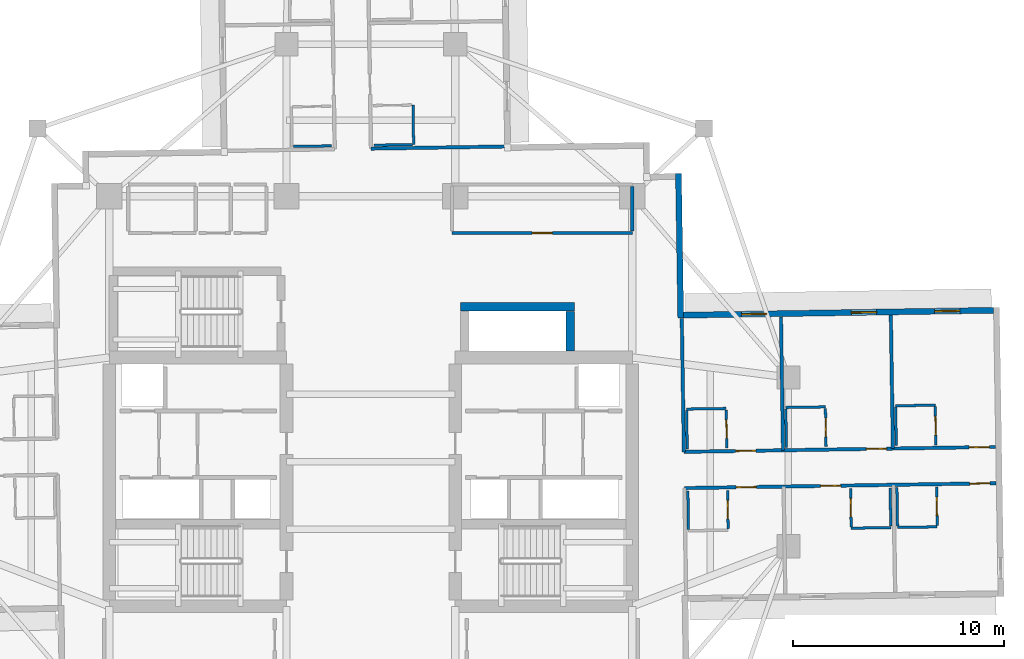
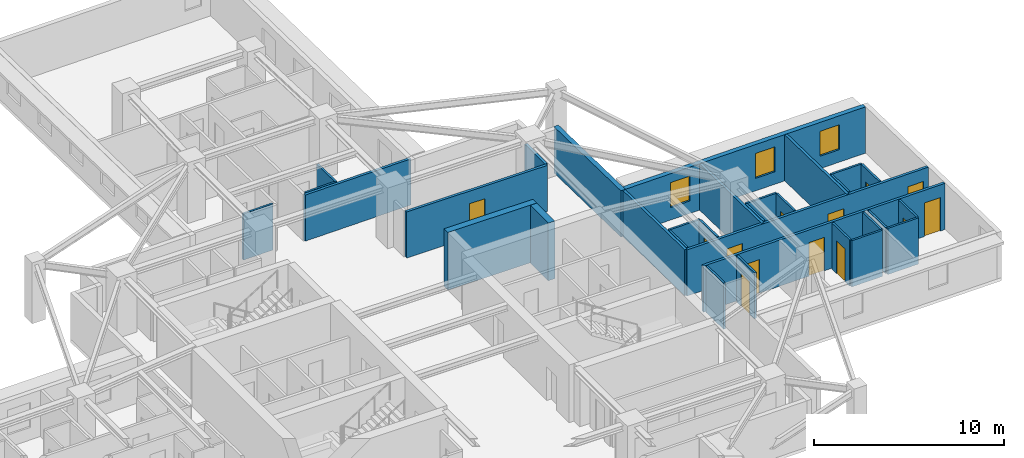
# One storey, part 7 of 14: 32 walls, 13 doors, 3 windows, 16 openings.
"""IFC4 building model written with IfcOpenShell, lengths in metres."""

from ifc_helpers import new_model, si_unit, direction, frame, frame_2d, origin, place, context, subcontext, project, spatial, rectangle, extrude, material, layer, layer_set, type_object, element, fill, save


model = new_model("IFC4")

# Units and contexts
model_context = context("Model", 3, precision=1e-05, world=origin(), true_north=direction((0.0, 1.0)))
body_context = subcontext(model_context, "Body", "Model", "MODEL_VIEW")
ifc_project = project(units=[si_unit("LENGTHUNIT", "METRE"), si_unit("AREAUNIT", "SQUARE_METRE"), si_unit("VOLUMEUNIT", "CUBIC_METRE"), si_unit("PLANEANGLEUNIT", "RADIAN"), si_unit("MASSUNIT", "GRAM", prefix="KILO")], contexts=[model_context])

# Site, building, storey
site_placement = place(None, origin())
site = spatial("IfcSite", under=ifc_project, at=site_placement, CompositionType="ELEMENT")
building_placement = place(site_placement, origin())
building = spatial("IfcBuilding", under=site, at=building_placement, Name="Qingluan Cross Belvedere", CompositionType="ELEMENT")
storey_placement = place(building_placement, frame((0.0, 0.0, 108.60009765625)))
storey = spatial("IfcBuildingStorey", under=building, at=storey_placement, Name="L27", CompositionType="ELEMENT", Elevation=108.60009765625)

# Walls
ifc_material_1 = material(Name="Concrete C50", Category="concrete")
ifc_layer_1 = layer(ifc_material_1, 0.449951171875, Name="CoreShearWall_450")
ifc_layer_set_1 = layer_set([ifc_layer_1], Name="Concrete C50")
wall_type_1 = type_object("IfcWallType", Name="CoreShearWall_450", PredefinedType="SHEAR", material=ifc_layer_set_1)
wall_1_placement = place(storey_placement, frame((4.25, 7.35009765625, 0.0), z_axis=(0.0, 0.0, 1.0), x_axis=(1.0, 0.0, 0.0)))
element("IfcWall", 1, at=wall_1_placement, inside=storey, type_object=wall_type_1, Name="Express shuttle core wall L27-N", PredefinedType="SHEAR", context=body_context, shape_type="SweptSolid", body=[
    extrude(rectangle(XDim=5.39990234375, YDim=0.39990234375, at=frame_2d((2.699951171875, 0.0))), origin(), (0.0, 0.0, 1.0), 3.699951171875),
])
wall_2_placement = place(storey_placement, frame((9.449951171875, 5.2548828125, 0.0), z_axis=(0.0, 0.0, 1.0), x_axis=(0.0, 1.0, 0.0)))
element("IfcWall", 2, at=wall_2_placement, inside=storey, type_object=wall_type_1, Name="Express shuttle core wall L27-E", PredefinedType="SHEAR", context=body_context, shape_type="SweptSolid", body=[
    extrude(rectangle(XDim=1.885009765625, YDim=0.39990234375, at=frame_2d((0.9423828125, 0.0))), origin(), (0.0, 0.0, 1.0), 3.699951171875),
])

# Wall, opening, door
ifc_material_2 = material(Name="Gypsum plasterboard on steel stud acoustic partition", Category="steel")
ifc_layer_2 = layer(ifc_material_2, 0.159912109375, Name="CorridorPartition_160")
ifc_layer_set_2 = layer_set([ifc_layer_2], Name="Gypsum plasterboard on steel stud acoustic partition")
wall_type_2 = type_object("IfcWallType", Name="CorridorPartition_160", PredefinedType="PARTITIONING", material=ifc_layer_set_2)
wall_3_placement = place(storey_placement, frame((3.85009765625, 10.85009765625, 0.0), z_axis=(0.0, 0.0, 1.0), x_axis=(1.0, 0.0, 0.0)))
wall_3 = element("IfcWall", 3, at=wall_3_placement, inside=storey, type_object=wall_type_2, Name="Partition L27:q_ne:S", PredefinedType="PARTITIONING", context=body_context, shape_type="SweptSolid", body=[
    extrude(rectangle(XDim=8.5498046875, YDim=0.159912109375, at=frame_2d((4.27490234375, 0.0))), origin(), (0.0, 0.0, 1.0), 2.9599609375),
])
opening_1_placement = place(wall_3_placement, frame((3.794921875, 0.0, 0.0)))
opening_1 = element("IfcOpeningElement", 4, at=opening_1_placement, cuts=wall_3, Name="Opening GD-10", PredefinedType="OPENING", context=body_context, shape_type="SweptSolid", body=[
    extrude(rectangle(XDim=0.9599609375, YDim=2.14990234375, at=frame_2d((0.47998046875, 1.074951171875))), frame((0.0, 0.08984375, 0.0), z_axis=(0.0, -1.0, 0.0), x_axis=(1.0, 0.0, 0.0)), (0.0, 0.0, 1.0), 0.179931640625),
])
ifc_material_3 = material(Name="Timber oak fire-rated acoustic guestroom door", Category="wood")
door_type_1 = type_object("IfcDoorType", Name="GuestEntryDoor_FD60", OperationType="NOTDEFINED", PredefinedType="DOOR", material=ifc_material_3)
door_1_placement = place(opening_1_placement, origin())
door_1 = element("IfcDoor", 5, at=door_1_placement, inside=storey, type_object=door_type_1, Name="Executive club lounge L27 door", OperationType="SINGLE_SWING_LEFT", OverallHeight=2.14990234375, OverallWidth=0.9599609375, PredefinedType="DOOR", context=body_context, shape_type="SweptSolid", body=[
    extrude(rectangle(XDim=0.9599609375, YDim=2.14990234375, at=frame_2d((0.47998046875, 1.074951171875))), frame((0.0, 0.02490234375, 0.0), z_axis=(0.0, -1.0, 0.0), x_axis=(1.0, 0.0, 0.0)), (0.0, 0.0, 1.0), 0.050048828125),
])
fill(opening_1, door_1)

# Wall
wall_4_placement = place(storey_placement, frame((12.39990234375, 10.93505859375, 0.0), z_axis=(0.0, 0.0, 1.0), x_axis=(0.0, 1.0, 0.0)))
element("IfcWall", 6, at=wall_4_placement, inside=storey, type_object=wall_type_2, Name="Partition L27:q_ne:E", PredefinedType="PARTITIONING", context=body_context, shape_type="SweptSolid", body=[
    extrude(rectangle(XDim=2.1298828125, YDim=0.159912109375, at=frame_2d((1.06494140625, 0.0))), origin(), (0.0, 0.0, 1.0), 2.9599609375),
])

# Wall, openings, doors
wall_5_placement = place(storey_placement, frame((14.844482421875, 0.47314453125, 0.0), z_axis=(0.0, 0.0, 1.0), x_axis=(0.999876638346, 0.015706944004, 0.0)))
wall_5 = element("IfcWall", 7, at=wall_5_placement, inside=storey, type_object=wall_type_2, Name="Partition L27:E:c0", PredefinedType="PARTITIONING", context=body_context, shape_type="SweptSolid", body=[
    extrude(rectangle(XDim=14.78173828125, YDim=0.159912109375, at=frame_2d((7.390869140625, 0.0))), origin(), (0.0, 0.0, 1.0), 2.9599609375),
])
opening_2_placement = place(wall_5_placement, frame((2.449951171875, 0.0, 0.0)))
opening_2 = element("IfcOpeningElement", 8, at=opening_2_placement, cuts=wall_5, Name="Opening GD-10", PredefinedType="OPENING", context=body_context, shape_type="SweptSolid", body=[
    extrude(rectangle(XDim=0.9599609375, YDim=2.14990234375, at=frame_2d((0.47998046875, 1.074951171875))), frame((0.0, 0.08984375, 0.0), z_axis=(0.0, -1.0, 0.0), x_axis=(1.0, 0.0, 0.0)), (0.0, 0.0, 1.0), 0.179931640625),
])
opening_3_placement = place(wall_5_placement, frame((8.654052734375, 0.0, 0.0)))
opening_3 = element("IfcOpeningElement", 9, at=opening_3_placement, cuts=wall_5, Name="Opening GD-10", PredefinedType="OPENING", context=body_context, shape_type="SweptSolid", body=[
    extrude(rectangle(XDim=0.9599609375, YDim=2.14990234375, at=frame_2d((0.47998046875, 1.074951171875))), frame((0.0, 0.08984375, 0.0), z_axis=(0.0, -1.0, 0.0), x_axis=(1.0, 0.0, 0.0)), (0.0, 0.0, 1.0), 0.179931640625),
])
opening_4_placement = place(wall_5_placement, frame((13.530029296875, 0.0, 0.0)))
opening_4 = element("IfcOpeningElement", 10, at=opening_4_placement, cuts=wall_5, Name="Opening GD-10", PredefinedType="OPENING", context=body_context, shape_type="SweptSolid", body=[
    extrude(rectangle(XDim=0.9599609375, YDim=2.14990234375, at=frame_2d((0.47998046875, 1.074951171875))), frame((0.0, 0.08984375, 0.0), z_axis=(0.0, -1.0, 0.0), x_axis=(1.0, 0.0, 0.0)), (0.0, 0.0, 1.0), 0.179931640625),
])
door_2_placement = place(opening_2_placement, origin())
door_2 = element("IfcDoor", 11, at=door_2_placement, inside=storey, type_object=door_type_1, Name="Guest entry fire door 2701", OperationType="SINGLE_SWING_RIGHT", OverallHeight=2.14990234375, OverallWidth=0.9599609375, PredefinedType="DOOR", context=body_context, shape_type="SweptSolid", body=[
    extrude(rectangle(XDim=0.9599609375, YDim=2.14990234375, at=frame_2d((0.47998046875, 1.074951171875))), frame((0.0, 0.02490234375, 0.0), z_axis=(0.0, -1.0, 0.0), x_axis=(1.0, 0.0, 0.0)), (0.0, 0.0, 1.0), 0.050048828125),
])
fill(opening_2, door_2)
door_3_placement = place(opening_3_placement, origin())
door_3 = element("IfcDoor", 12, at=door_3_placement, inside=storey, type_object=door_type_1, Name="Guest entry fire door 2702", OperationType="SINGLE_SWING_RIGHT", OverallHeight=2.14990234375, OverallWidth=0.9599609375, PredefinedType="DOOR", context=body_context, shape_type="SweptSolid", body=[
    extrude(rectangle(XDim=0.9599609375, YDim=2.14990234375, at=frame_2d((0.47998046875, 1.074951171875))), frame((0.0, 0.02490234375, 0.0), z_axis=(0.0, -1.0, 0.0), x_axis=(1.0, 0.0, 0.0)), (0.0, 0.0, 1.0), 0.050048828125),
])
fill(opening_3, door_3)
door_4_placement = place(opening_4_placement, origin())
door_4 = element("IfcDoor", 13, at=door_4_placement, inside=storey, type_object=door_type_1, Name="Guest entry fire door 2703", OperationType="SINGLE_SWING_RIGHT", OverallHeight=2.14990234375, OverallWidth=0.9599609375, PredefinedType="DOOR", context=body_context, shape_type="SweptSolid", body=[
    extrude(rectangle(XDim=0.9599609375, YDim=2.14990234375, at=frame_2d((0.47998046875, 1.074951171875))), frame((0.0, 0.02490234375, 0.0), z_axis=(0.0, -1.0, 0.0), x_axis=(1.0, 0.0, 0.0)), (0.0, 0.0, 1.0), 0.050048828125),
])
fill(opening_4, door_4)

# Walls
for number, where, z_axis, x_axis, name in (
    (14, (14.844482421875, 0.47314453125, 0.0), (0.0, 0.0, 1.0), (-0.01573090328, 0.999876261685, 0.0), "Partition L27:E:s0"),
    (15, (19.546875, 0.547119140625, 0.0), (0.0, 0.0, 1.0), (-0.01573090328, 0.999876261685, 0.0), "Partition L27:E:d0_0"),
    (16, (24.757080078125, 0.62890625, 0.0), (0.0, 0.0, 1.0), (-0.015692356651, 0.999876867391, 0.0), "Partition L27:E:d0_1"),
):
    element("IfcWall", number, at=place(storey_placement, frame(where, z_axis=z_axis, x_axis=x_axis)), inside=storey, type_object=wall_type_2, Name=name, PredefinedType="PARTITIONING", context=body_context, shape_type="SweptSolid", body=[
        extrude(rectangle(XDim=6.33203125, YDim=0.159912109375, at=frame_2d((3.166015625, 0.0))), origin(), (0.0, 0.0, 1.0), 2.9599609375),
    ])

# Wall, openings, doors
wall_6_placement = place(storey_placement, frame((14.871337890625, -1.24658203125, 0.0), z_axis=(0.0, 0.0, 1.0), x_axis=(0.999876642421, 0.015706684621, 0.0)))
wall_6 = element("IfcWall", 17, at=wall_6_placement, inside=storey, type_object=wall_type_2, Name="Partition L27:E:c1", PredefinedType="PARTITIONING", context=body_context, shape_type="SweptSolid", body=[
    extrude(rectangle(XDim=14.781982421875, YDim=0.159912109375, at=frame_2d((7.39111328125, 0.0))), origin(), (0.0, 0.0, 1.0), 2.9599609375),
])
opening_5_placement = place(wall_6_placement, frame((2.449951171875, 0.0, 0.0)))
opening_5 = element("IfcOpeningElement", 18, at=opening_5_placement, cuts=wall_6, Name="Opening GD-10", PredefinedType="OPENING", context=body_context, shape_type="SweptSolid", body=[
    extrude(rectangle(XDim=0.9599609375, YDim=2.14990234375, at=frame_2d((0.47998046875, 1.074951171875))), frame((0.0, 0.08984375, 0.0), z_axis=(0.0, -1.0, 0.0), x_axis=(1.0, 0.0, 0.0)), (0.0, 0.0, 1.0), 0.179931640625),
])
opening_6_placement = place(wall_6_placement, frame((6.452880859375, 0.0, 0.0)))
opening_6 = element("IfcOpeningElement", 19, at=opening_6_placement, cuts=wall_6, Name="Opening GD-10", PredefinedType="OPENING", context=body_context, shape_type="SweptSolid", body=[
    extrude(rectangle(XDim=0.9599609375, YDim=2.14990234375, at=frame_2d((0.47998046875, 1.074951171875))), frame((0.0, 0.08984375, 0.0), z_axis=(0.0, -1.0, 0.0), x_axis=(1.0, 0.0, 0.0)), (0.0, 0.0, 1.0), 0.179931640625),
])
opening_7_placement = place(wall_6_placement, frame((13.530029296875, 0.0, 0.0)))
opening_7 = element("IfcOpeningElement", 20, at=opening_7_placement, cuts=wall_6, Name="Opening GD-10", PredefinedType="OPENING", context=body_context, shape_type="SweptSolid", body=[
    extrude(rectangle(XDim=0.9599609375, YDim=2.14990234375, at=frame_2d((0.47998046875, 1.074951171875))), frame((0.0, 0.08984375, 0.0), z_axis=(0.0, -1.0, 0.0), x_axis=(1.0, 0.0, 0.0)), (0.0, 0.0, 1.0), 0.179931640625),
])
door_5_placement = place(opening_5_placement, origin())
door_5 = element("IfcDoor", 21, at=door_5_placement, inside=storey, type_object=door_type_1, Name="Guest entry fire door 2704", OperationType="SINGLE_SWING_RIGHT", OverallHeight=2.14990234375, OverallWidth=0.9599609375, PredefinedType="DOOR", context=body_context, shape_type="SweptSolid", body=[
    extrude(rectangle(XDim=0.9599609375, YDim=2.14990234375, at=frame_2d((0.47998046875, 1.074951171875))), frame((0.0, 0.02490234375, 0.0), z_axis=(0.0, -1.0, 0.0), x_axis=(1.0, 0.0, 0.0)), (0.0, 0.0, 1.0), 0.050048828125),
])
fill(opening_5, door_5)
door_6_placement = place(opening_6_placement, origin())
door_6 = element("IfcDoor", 22, at=door_6_placement, inside=storey, type_object=door_type_1, Name="Guest entry fire door 2705", OperationType="SINGLE_SWING_RIGHT", OverallHeight=2.14990234375, OverallWidth=0.9599609375, PredefinedType="DOOR", context=body_context, shape_type="SweptSolid", body=[
    extrude(rectangle(XDim=0.9599609375, YDim=2.14990234375, at=frame_2d((0.47998046875, 1.074951171875))), frame((0.0, 0.02490234375, 0.0), z_axis=(0.0, -1.0, 0.0), x_axis=(1.0, 0.0, 0.0)), (0.0, 0.0, 1.0), 0.050048828125),
])
fill(opening_6, door_6)
door_7_placement = place(opening_7_placement, origin())
door_7 = element("IfcDoor", 23, at=door_7_placement, inside=storey, type_object=door_type_1, Name="Guest entry fire door 2706", OperationType="SINGLE_SWING_RIGHT", OverallHeight=2.14990234375, OverallWidth=0.9599609375, PredefinedType="DOOR", context=body_context, shape_type="SweptSolid", body=[
    extrude(rectangle(XDim=0.9599609375, YDim=2.14990234375, at=frame_2d((0.47998046875, 1.074951171875))), frame((0.0, 0.02490234375, 0.0), z_axis=(0.0, -1.0, 0.0), x_axis=(1.0, 0.0, 0.0)), (0.0, 0.0, 1.0), 0.050048828125),
])
fill(opening_7, door_7)

# Wall
wall_7_placement = place(storey_placement, frame((0.006591796875, 14.851806640625, 0.0), z_axis=(0.0, 0.0, 1.0), x_axis=(0.999876577995, 0.015710785373, 0.0)))
element("IfcWall", 24, at=wall_7_placement, inside=storey, type_object=wall_type_2, Name="Partition L27:N:s0", PredefinedType="PARTITIONING", context=body_context, shape_type="SweptSolid", body=[
    extrude(rectangle(XDim=6.47998046875, YDim=0.159912109375, at=frame_2d((3.239990234375, 0.0))), origin(), (0.0, 0.0, 1.0), 2.9599609375),
])

# Wall, opening, door
ifc_material_4 = material(Name="Moisture-resistant gypsum board lining")
ifc_layer_3 = layer(ifc_material_4, 0.1201171875, Name="EnsuiteWetPartition_120")
ifc_layer_set_3 = layer_set([ifc_layer_3], Name="Moisture-resistant gypsum board lining")
wall_type_3 = type_object("IfcWallType", Name="EnsuiteWetPartition_120", PredefinedType="PARTITIONING", material=ifc_layer_set_3)
wall_8_placement = place(storey_placement, frame((16.8818359375, 0.645263671875, 0.0), z_axis=(0.0, 0.0, 1.0), x_axis=(-0.015560230231, 0.999878932289, 0.0)))
wall_8 = element("IfcWall", 25, at=wall_8_placement, inside=storey, type_object=wall_type_3, Name="Partition L27:E:bs0_0", PredefinedType="PARTITIONING", context=body_context, shape_type="SweptSolid", body=[
    extrude(rectangle(XDim=1.820068359375, YDim=0.1201171875, at=frame_2d((0.91015625, 0.0))), origin(), (0.0, 0.0, 1.0), 2.9599609375),
])
opening_8_placement = place(wall_8_placement, frame((0.469970703125, 0.0, 0.0)))
opening_8 = element("IfcOpeningElement", 26, at=opening_8_placement, cuts=wall_8, Name="Opening BD-09", PredefinedType="OPENING", context=body_context, shape_type="SweptSolid", body=[
    extrude(rectangle(XDim=0.8798828125, YDim=2.10009765625, at=frame_2d((0.43994140625, 1.050048828125))), frame((0.0, 0.070068359375, 0.0), z_axis=(0.0, -1.0, 0.0), x_axis=(1.0, 0.0, 0.0)), (0.0, 0.0, 1.0), 0.14013671875),
])
ifc_material_5 = material(Name="Moisture-sealed timber en-suite door", Category="wood")
door_type_2 = type_object("IfcDoorType", Name="BathroomDoor_880", OperationType="NOTDEFINED", PredefinedType="DOOR", material=ifc_material_5)
door_8_placement = place(opening_8_placement, origin())
door_8 = element("IfcDoor", 27, at=door_8_placement, inside=storey, type_object=door_type_2, Name="Bathroom door 2701", OperationType="SINGLE_SWING_LEFT", OverallHeight=2.10009765625, OverallWidth=0.8798828125, PredefinedType="DOOR", context=body_context, shape_type="SweptSolid", body=[
    extrude(rectangle(XDim=0.8798828125, YDim=2.10009765625, at=frame_2d((0.43994140625, 1.050048828125))), frame((0.0, 0.02490234375, 0.0), z_axis=(0.0, -1.0, 0.0), x_axis=(1.0, 0.0, 0.0)), (0.0, 0.0, 1.0), 0.050048828125),
])
fill(opening_8, door_8)

# Walls
wall_9_placement = place(storey_placement, frame((15.002197265625, 0.61572265625, 0.0), z_axis=(0.0, 0.0, 1.0), x_axis=(-0.015694337248, 0.999876836305, 0.0)))
element("IfcWall", 28, at=wall_9_placement, inside=storey, type_object=wall_type_3, Name="Partition L27:E:bw0_0", PredefinedType="PARTITIONING", context=body_context, shape_type="SweptSolid", body=[
    extrude(rectangle(XDim=1.820068359375, YDim=0.1201171875, at=frame_2d((0.91015625, 0.0))), origin(), (0.0, 0.0, 1.0), 2.9599609375),
])
wall_10_placement = place(storey_placement, frame((14.97265625, 2.50048828125, 0.0), z_axis=(0.0, 0.0, 1.0), x_axis=(0.99987652141, 0.015714386166, 0.0)))
element("IfcWall", 29, at=wall_10_placement, inside=storey, type_object=wall_type_3, Name="Partition L27:E:bn0_0", PredefinedType="PARTITIONING", context=body_context, shape_type="SweptSolid", body=[
    extrude(rectangle(XDim=1.8798828125, YDim=0.1201171875, at=frame_2d((0.93994140625, 0.0))), origin(), (0.0, 0.0, 1.0), 2.9599609375),
])

# Wall, opening, door
wall_11_placement = place(storey_placement, frame((21.58447265625, 0.718994140625, 0.0), z_axis=(0.0, 0.0, 1.0), x_axis=(-0.015694337248, 0.999876836305, 0.0)))
wall_11 = element("IfcWall", 30, at=wall_11_placement, inside=storey, type_object=wall_type_3, Name="Partition L27:E:bs0_1", PredefinedType="PARTITIONING", context=body_context, shape_type="SweptSolid", body=[
    extrude(rectangle(XDim=1.820068359375, YDim=0.1201171875, at=frame_2d((0.91015625, 0.0))), origin(), (0.0, 0.0, 1.0), 2.9599609375),
])
opening_9_placement = place(wall_11_placement, frame((0.469970703125, 0.0, 0.0)))
opening_9 = element("IfcOpeningElement", 31, at=opening_9_placement, cuts=wall_11, Name="Opening BD-09", PredefinedType="OPENING", context=body_context, shape_type="SweptSolid", body=[
    extrude(rectangle(XDim=0.8798828125, YDim=2.10009765625, at=frame_2d((0.43994140625, 1.050048828125))), frame((0.0, 0.070068359375, 0.0), z_axis=(0.0, -1.0, 0.0), x_axis=(1.0, 0.0, 0.0)), (0.0, 0.0, 1.0), 0.14013671875),
])
door_9_placement = place(opening_9_placement, origin())
door_9 = element("IfcDoor", 32, at=door_9_placement, inside=storey, type_object=door_type_2, Name="Bathroom door 2702", OperationType="SINGLE_SWING_LEFT", OverallHeight=2.10009765625, OverallWidth=0.8798828125, PredefinedType="DOOR", context=body_context, shape_type="SweptSolid", body=[
    extrude(rectangle(XDim=0.8798828125, YDim=2.10009765625, at=frame_2d((0.43994140625, 1.050048828125))), frame((0.0, 0.02490234375, 0.0), z_axis=(0.0, -1.0, 0.0), x_axis=(1.0, 0.0, 0.0)), (0.0, 0.0, 1.0), 0.050048828125),
])
fill(opening_9, door_9)

# Walls
wall_12_placement = place(storey_placement, frame((19.70458984375, 0.689697265625, 0.0), z_axis=(0.0, 0.0, 1.0), x_axis=(-0.015694337248, 0.999876836305, 0.0)))
element("IfcWall", 33, at=wall_12_placement, inside=storey, type_object=wall_type_3, Name="Partition L27:E:bw0_1", PredefinedType="PARTITIONING", context=body_context, shape_type="SweptSolid", body=[
    extrude(rectangle(XDim=1.820068359375, YDim=0.1201171875, at=frame_2d((0.91015625, 0.0))), origin(), (0.0, 0.0, 1.0), 2.9599609375),
])
wall_13_placement = place(storey_placement, frame((19.675048828125, 2.574462890625, 0.0), z_axis=(0.0, 0.0, 1.0), x_axis=(0.99987652141, 0.015714386166, 0.0)))
element("IfcWall", 34, at=wall_13_placement, inside=storey, type_object=wall_type_3, Name="Partition L27:E:bn0_1", PredefinedType="PARTITIONING", context=body_context, shape_type="SweptSolid", body=[
    extrude(rectangle(XDim=1.8798828125, YDim=0.1201171875, at=frame_2d((0.93994140625, 0.0))), origin(), (0.0, 0.0, 1.0), 2.9599609375),
])

# Wall, opening, door
wall_14_placement = place(storey_placement, frame((26.794677734375, 0.801025390625, 0.0), z_axis=(0.0, 0.0, 1.0), x_axis=(-0.015696442504, 0.999876803258, 0.0)))
wall_14 = element("IfcWall", 35, at=wall_14_placement, inside=storey, type_object=wall_type_3, Name="Partition L27:E:bs0_2", PredefinedType="PARTITIONING", context=body_context, shape_type="SweptSolid", body=[
    extrude(rectangle(XDim=1.81982421875, YDim=0.1201171875, at=frame_2d((0.909912109375, 0.0))), origin(), (0.0, 0.0, 1.0), 2.9599609375),
])
opening_10_placement = place(wall_14_placement, frame((0.469970703125, 0.0, 0.0)))
opening_10 = element("IfcOpeningElement", 36, at=opening_10_placement, cuts=wall_14, Name="Opening BD-09", PredefinedType="OPENING", context=body_context, shape_type="SweptSolid", body=[
    extrude(rectangle(XDim=0.8798828125, YDim=2.10009765625, at=frame_2d((0.43994140625, 1.050048828125))), frame((0.0, 0.070068359375, 0.0), z_axis=(0.0, -1.0, 0.0), x_axis=(1.0, 0.0, 0.0)), (0.0, 0.0, 1.0), 0.14013671875),
])
door_10_placement = place(opening_10_placement, origin())
door_10 = element("IfcDoor", 37, at=door_10_placement, inside=storey, type_object=door_type_2, Name="Bathroom door 2703", OperationType="SINGLE_SWING_LEFT", OverallHeight=2.10009765625, OverallWidth=0.8798828125, PredefinedType="DOOR", context=body_context, shape_type="SweptSolid", body=[
    extrude(rectangle(XDim=0.8798828125, YDim=2.10009765625, at=frame_2d((0.43994140625, 1.050048828125))), frame((0.0, 0.02490234375, 0.0), z_axis=(0.0, -1.0, 0.0), x_axis=(1.0, 0.0, 0.0)), (0.0, 0.0, 1.0), 0.050048828125),
])
fill(opening_10, door_10)

# Walls
wall_15_placement = place(storey_placement, frame((24.9150390625, 0.771484375, 0.0), z_axis=(0.0, 0.0, 1.0), x_axis=(-0.015694337248, 0.999876836305, 0.0)))
element("IfcWall", 38, at=wall_15_placement, inside=storey, type_object=wall_type_3, Name="Partition L27:E:bw0_2", PredefinedType="PARTITIONING", context=body_context, shape_type="SweptSolid", body=[
    extrude(rectangle(XDim=1.820068359375, YDim=0.1201171875, at=frame_2d((0.91015625, 0.0))), origin(), (0.0, 0.0, 1.0), 2.9599609375),
])
wall_16_placement = place(storey_placement, frame((24.88525390625, 2.65625, 0.0), z_axis=(0.0, 0.0, 1.0), x_axis=(0.999876553475, 0.01571234584, 0.0)))
element("IfcWall", 39, at=wall_16_placement, inside=storey, type_object=wall_type_3, Name="Partition L27:E:bn0_2", PredefinedType="PARTITIONING", context=body_context, shape_type="SweptSolid", body=[
    extrude(rectangle(XDim=1.880126953125, YDim=0.1201171875, at=frame_2d((0.93994140625, 0.0))), origin(), (0.0, 0.0, 1.0), 2.9599609375),
])

# Wall, opening, door
wall_17_placement = place(storey_placement, frame((16.94189453125, -3.17431640625, 0.0), z_axis=(0.0, 0.0, 1.0), x_axis=(-0.015694337248, 0.999876836305, 0.0)))
wall_17 = element("IfcWall", 40, at=wall_17_placement, inside=storey, type_object=wall_type_3, Name="Partition L27:E:bs1_0", PredefinedType="PARTITIONING", context=body_context, shape_type="SweptSolid", body=[
    extrude(rectangle(XDim=1.820068359375, YDim=0.1201171875, at=frame_2d((0.91015625, 0.0))), origin(), (0.0, 0.0, 1.0), 2.9599609375),
])
opening_11_placement = place(wall_17_placement, frame((0.469970703125, 0.0, 0.0)))
opening_11 = element("IfcOpeningElement", 41, at=opening_11_placement, cuts=wall_17, Name="Opening BD-09", PredefinedType="OPENING", context=body_context, shape_type="SweptSolid", body=[
    extrude(rectangle(XDim=0.8798828125, YDim=2.10009765625, at=frame_2d((0.43994140625, 1.050048828125))), frame((0.0, 0.070068359375, 0.0), z_axis=(0.0, -1.0, 0.0), x_axis=(1.0, 0.0, 0.0)), (0.0, 0.0, 1.0), 0.14013671875),
])
door_11_placement = place(opening_11_placement, origin())
door_11 = element("IfcDoor", 42, at=door_11_placement, inside=storey, type_object=door_type_2, Name="Bathroom door 2704", OperationType="SINGLE_SWING_LEFT", OverallHeight=2.10009765625, OverallWidth=0.8798828125, PredefinedType="DOOR", context=body_context, shape_type="SweptSolid", body=[
    extrude(rectangle(XDim=0.8798828125, YDim=2.10009765625, at=frame_2d((0.43994140625, 1.050048828125))), frame((0.0, 0.02490234375, 0.0), z_axis=(0.0, -1.0, 0.0), x_axis=(1.0, 0.0, 0.0)), (0.0, 0.0, 1.0), 0.050048828125),
])
fill(opening_11, door_11)

# Wall
wall_18_placement = place(storey_placement, frame((15.062255859375, -3.203857421875, 0.0), z_axis=(0.0, 0.0, 1.0), x_axis=(-0.015694337248, 0.999876836305, 0.0)))
element("IfcWall", 43, at=wall_18_placement, inside=storey, type_object=wall_type_3, Name="Partition L27:E:bw1_0", PredefinedType="PARTITIONING", context=body_context, shape_type="SweptSolid", body=[
    extrude(rectangle(XDim=1.820068359375, YDim=0.1201171875, at=frame_2d((0.91015625, 0.0))), origin(), (0.0, 0.0, 1.0), 2.9599609375),
])

# Wall, opening, door
wall_19_placement = place(storey_placement, frame((22.775146484375, -3.08251953125, 0.0), z_axis=(0.0, 0.0, 1.0), x_axis=(-0.015696442504, 0.999876803258, 0.0)))
wall_19 = element("IfcWall", 44, at=wall_19_placement, inside=storey, type_object=wall_type_3, Name="Partition L27:E:bs1_1", PredefinedType="PARTITIONING", context=body_context, shape_type="SweptSolid", body=[
    extrude(rectangle(XDim=1.81982421875, YDim=0.1201171875, at=frame_2d((0.909912109375, 0.0))), origin(), (0.0, 0.0, 1.0), 2.9599609375),
])
opening_12_placement = place(wall_19_placement, frame((0.469970703125, 0.0, 0.0)))
opening_12 = element("IfcOpeningElement", 45, at=opening_12_placement, cuts=wall_19, Name="Opening BD-09", PredefinedType="OPENING", context=body_context, shape_type="SweptSolid", body=[
    extrude(rectangle(XDim=0.8798828125, YDim=2.10009765625, at=frame_2d((0.43994140625, 1.050048828125))), frame((0.0, 0.070068359375, 0.0), z_axis=(0.0, -1.0, 0.0), x_axis=(1.0, 0.0, 0.0)), (0.0, 0.0, 1.0), 0.14013671875),
])
door_12_placement = place(opening_12_placement, origin())
door_12 = element("IfcDoor", 46, at=door_12_placement, inside=storey, type_object=door_type_2, Name="Bathroom door 2705", OperationType="SINGLE_SWING_LEFT", OverallHeight=2.10009765625, OverallWidth=0.8798828125, PredefinedType="DOOR", context=body_context, shape_type="SweptSolid", body=[
    extrude(rectangle(XDim=0.8798828125, YDim=2.10009765625, at=frame_2d((0.43994140625, 1.050048828125))), frame((0.0, 0.02490234375, 0.0), z_axis=(0.0, -1.0, 0.0), x_axis=(1.0, 0.0, 0.0)), (0.0, 0.0, 1.0), 0.050048828125),
])
fill(opening_12, door_12)

# Walls
wall_20_placement = place(storey_placement, frame((24.655029296875, -3.052978515625, 0.0), z_axis=(0.0, 0.0, 1.0), x_axis=(-0.015696442504, 0.999876803258, 0.0)))
element("IfcWall", 47, at=wall_20_placement, inside=storey, type_object=wall_type_3, Name="Partition L27:E:bw1_1", PredefinedType="PARTITIONING", context=body_context, shape_type="SweptSolid", body=[
    extrude(rectangle(XDim=1.81982421875, YDim=0.1201171875, at=frame_2d((0.909912109375, 0.0))), origin(), (0.0, 0.0, 1.0), 2.9599609375),
])
wall_21_placement = place(storey_placement, frame((22.7763671875, -3.147705078125, 0.0), z_axis=(0.0, 0.0, 1.0), x_axis=(0.99987652141, 0.015714386166, 0.0)))
element("IfcWall", 48, at=wall_21_placement, inside=storey, type_object=wall_type_3, Name="Partition L27:E:bc1_1", PredefinedType="PARTITIONING", context=body_context, shape_type="SweptSolid", body=[
    extrude(rectangle(XDim=1.8798828125, YDim=0.1201171875, at=frame_2d((0.93994140625, 0.0))), origin(), (0.0, 0.0, 1.0), 2.9599609375),
])

# Wall, opening, door
wall_22_placement = place(storey_placement, frame((26.854736328125, -3.0185546875, 0.0), z_axis=(0.0, 0.0, 1.0), x_axis=(-0.015694337248, 0.999876836305, 0.0)))
wall_22 = element("IfcWall", 49, at=wall_22_placement, inside=storey, type_object=wall_type_3, Name="Partition L27:E:bs1_2", PredefinedType="PARTITIONING", context=body_context, shape_type="SweptSolid", body=[
    extrude(rectangle(XDim=1.820068359375, YDim=0.1201171875, at=frame_2d((0.91015625, 0.0))), origin(), (0.0, 0.0, 1.0), 2.9599609375),
])
opening_13_placement = place(wall_22_placement, frame((0.469970703125, 0.0, 0.0)))
opening_13 = element("IfcOpeningElement", 50, at=opening_13_placement, cuts=wall_22, Name="Opening BD-09", PredefinedType="OPENING", context=body_context, shape_type="SweptSolid", body=[
    extrude(rectangle(XDim=0.8798828125, YDim=2.10009765625, at=frame_2d((0.43994140625, 1.050048828125))), frame((0.0, 0.070068359375, 0.0), z_axis=(0.0, -1.0, 0.0), x_axis=(1.0, 0.0, 0.0)), (0.0, 0.0, 1.0), 0.14013671875),
])
door_13_placement = place(opening_13_placement, origin())
door_13 = element("IfcDoor", 51, at=door_13_placement, inside=storey, type_object=door_type_2, Name="Bathroom door 2706", OperationType="SINGLE_SWING_LEFT", OverallHeight=2.10009765625, OverallWidth=0.8798828125, PredefinedType="DOOR", context=body_context, shape_type="SweptSolid", body=[
    extrude(rectangle(XDim=0.8798828125, YDim=2.10009765625, at=frame_2d((0.43994140625, 1.050048828125))), frame((0.0, 0.02490234375, 0.0), z_axis=(0.0, -1.0, 0.0), x_axis=(1.0, 0.0, 0.0)), (0.0, 0.0, 1.0), 0.050048828125),
])
fill(opening_13, door_13)

# Walls
wall_23_placement = place(storey_placement, frame((24.97509765625, -3.048095703125, 0.0), z_axis=(0.0, 0.0, 1.0), x_axis=(-0.015828443418, 0.999874722342, 0.0)))
element("IfcWall", 52, at=wall_23_placement, inside=storey, type_object=wall_type_3, Name="Partition L27:E:bw1_2", PredefinedType="PARTITIONING", context=body_context, shape_type="SweptSolid", body=[
    extrude(rectangle(XDim=1.820068359375, YDim=0.1201171875, at=frame_2d((0.91015625, 0.0))), origin(), (0.0, 0.0, 1.0), 2.9599609375),
])
wall_24_placement = place(storey_placement, frame((24.97607421875, -3.113037109375, 0.0), z_axis=(0.0, 0.0, 1.0), x_axis=(0.99987652141, 0.015714386166, 0.0)))
element("IfcWall", 53, at=wall_24_placement, inside=storey, type_object=wall_type_3, Name="Partition L27:E:bc1_2", PredefinedType="PARTITIONING", context=body_context, shape_type="SweptSolid", body=[
    extrude(rectangle(XDim=1.8798828125, YDim=0.1201171875, at=frame_2d((0.93994140625, 0.0))), origin(), (0.0, 0.0, 1.0), 2.9599609375),
])
wall_25_placement = place(storey_placement, frame((0.144287109375, 15.01416015625, 0.0), z_axis=(0.0, 0.0, 1.0), x_axis=(0.999876836305, 0.015694337248, 0.0)))
element("IfcWall", 54, at=wall_25_placement, inside=storey, type_object=wall_type_3, Name="Partition L27:N:bw0_0", PredefinedType="PARTITIONING", context=body_context, shape_type="SweptSolid", body=[
    extrude(rectangle(XDim=1.820068359375, YDim=0.1201171875, at=frame_2d((0.91015625, 0.0))), origin(), (0.0, 0.0, 1.0), 2.9599609375),
])
wall_26_placement = place(storey_placement, frame((2.029052734375, 15.043701171875, 0.0), z_axis=(0.0, 0.0, 1.0), x_axis=(-0.01571234584, 0.999876553475, 0.0)))
element("IfcWall", 55, at=wall_26_placement, inside=storey, type_object=wall_type_3, Name="Partition L27:N:bn0_0", PredefinedType="PARTITIONING", context=body_context, shape_type="SweptSolid", body=[
    extrude(rectangle(XDim=1.880126953125, YDim=0.1201171875, at=frame_2d((0.93994140625, 0.0))), origin(), (0.0, 0.0, 1.0), 2.9599609375),
])
wall_27_placement = place(storey_placement, frame((-3.67529296875, 14.9541015625, 0.0), z_axis=(0.0, 0.0, 1.0), x_axis=(0.999876803258, 0.015696442504, 0.0)))
element("IfcWall", 56, at=wall_27_placement, inside=storey, type_object=wall_type_3, Name="Partition L27:N:bw1_0", PredefinedType="PARTITIONING", context=body_context, shape_type="SweptSolid", body=[
    extrude(rectangle(XDim=1.81982421875, YDim=0.1201171875, at=frame_2d((0.909912109375, 0.0))), origin(), (0.0, 0.0, 1.0), 2.9599609375),
])

# Wall, openings, windows
ifc_material_6 = material(Name="Precast concrete C45", Category="concrete")
ifc_layer_4 = layer(ifc_material_6, 0.280029296875, Name="PrecastFacadeWall_280")
ifc_layer_set_4 = layer_set([ifc_layer_4], Name="Precast concrete C45")
wall_type_4 = type_object("IfcWallType", Name="PrecastFacadeWall_280", PredefinedType="STANDARD", material=ifc_layer_set_4)
wall_28_placement = place(storey_placement, frame((29.53076171875, 7.184814453125, 0.0), z_axis=(0.0, 0.0, 1.0), x_axis=(-0.999876569875, -0.015711302158, 0.0)))
wall_28 = element("IfcWall", 57, at=wall_28_placement, inside=storey, type_object=wall_type_4, Name="Facade wall L27-EB", PredefinedType="STANDARD", context=body_context, shape_type="SweptSolid", body=[
    extrude(rectangle(XDim=14.699951171875, YDim=0.280029296875, at=frame_2d((7.35009765625, 0.0))), origin(), (0.0, 0.0, 1.0), 2.969970703125),
])
opening_14_placement = place(wall_28_placement, frame((1.60009765625, 0.0, 0.800048828125)))
opening_14 = element("IfcOpeningElement", 58, at=opening_14_placement, cuts=wall_28, Name="Opening W-02", PredefinedType="OPENING", context=body_context, shape_type="SweptSolid", body=[
    extrude(rectangle(XDim=1.199951171875, YDim=1.60009765625, at=frame_2d((0.60009765625, 0.800048828125))), frame((0.0, 0.14990234375, 0.0), z_axis=(0.0, -1.0, 0.0), x_axis=(1.0, 0.0, 0.0)), (0.0, 0.0, 1.0), 0.300048828125),
])
opening_15_placement = place(wall_28_placement, frame((5.550048828125, 0.0, 0.800048828125)))
opening_15 = element("IfcOpeningElement", 59, at=opening_15_placement, cuts=wall_28, Name="Opening W-02", PredefinedType="OPENING", context=body_context, shape_type="SweptSolid", body=[
    extrude(rectangle(XDim=1.199951171875, YDim=1.60009765625, at=frame_2d((0.60009765625, 0.800048828125))), frame((0.0, 0.14990234375, 0.0), z_axis=(0.0, -1.0, 0.0), x_axis=(1.0, 0.0, 0.0)), (0.0, 0.0, 1.0), 0.300048828125),
])
opening_16_placement = place(wall_28_placement, frame((10.75, 0.0, 0.800048828125)))
opening_16 = element("IfcOpeningElement", 60, at=opening_16_placement, cuts=wall_28, Name="Opening W-02", PredefinedType="OPENING", context=body_context, shape_type="SweptSolid", body=[
    extrude(rectangle(XDim=1.199951171875, YDim=1.60009765625, at=frame_2d((0.60009765625, 0.800048828125))), frame((0.0, 0.14990234375, 0.0), z_axis=(0.0, -1.0, 0.0), x_axis=(1.0, 0.0, 0.0)), (0.0, 0.0, 1.0), 0.300048828125),
])
ifc_material_7 = material(Name="Thermally broken triple Low-E glass in aluminium frame", Category="aluminium")
window_type = type_object("IfcWindowType", Name="TriRibbonWin_1200x1600", PartitioningType="SINGLE_PANEL", PredefinedType="WINDOW", material=ifc_material_7)
window_1_placement = place(opening_14_placement, origin())
window_1 = element("IfcWindow", 61, at=window_1_placement, inside=storey, type_object=window_type, Name="Ribbon window L27-EB-1", OverallHeight=1.60009765625, OverallWidth=1.199951171875, PartitioningType="SINGLE_PANEL", PredefinedType="WINDOW", context=body_context, shape_type="SweptSolid", body=[
    extrude(rectangle(XDim=1.199951171875, YDim=1.60009765625, at=frame_2d((0.60009765625, 0.800048828125))), frame((0.0, 0.030029296875, 0.0), z_axis=(0.0, -1.0, 0.0), x_axis=(1.0, 0.0, 0.0)), (0.0, 0.0, 1.0), 0.06005859375),
])
fill(opening_14, window_1)
window_2_placement = place(opening_15_placement, origin())
window_2 = element("IfcWindow", 62, at=window_2_placement, inside=storey, type_object=window_type, Name="Ribbon window L27-EB-2", OverallHeight=1.60009765625, OverallWidth=1.199951171875, PartitioningType="SINGLE_PANEL", PredefinedType="WINDOW", context=body_context, shape_type="SweptSolid", body=[
    extrude(rectangle(XDim=1.199951171875, YDim=1.60009765625, at=frame_2d((0.60009765625, 0.800048828125))), frame((0.0, 0.030029296875, 0.0), z_axis=(0.0, -1.0, 0.0), x_axis=(1.0, 0.0, 0.0)), (0.0, 0.0, 1.0), 0.06005859375),
])
fill(opening_15, window_2)
window_3_placement = place(opening_16_placement, origin())
window_3 = element("IfcWindow", 63, at=window_3_placement, inside=storey, type_object=window_type, Name="Ribbon window L27-EB-3", OverallHeight=1.60009765625, OverallWidth=1.199951171875, PartitioningType="SINGLE_PANEL", PredefinedType="WINDOW", context=body_context, shape_type="SweptSolid", body=[
    extrude(rectangle(XDim=1.199951171875, YDim=1.60009765625, at=frame_2d((0.60009765625, 0.800048828125))), frame((0.0, 0.030029296875, 0.0), z_axis=(0.0, -1.0, 0.0), x_axis=(1.0, 0.0, 0.0)), (0.0, 0.0, 1.0), 0.06005859375),
])
fill(opening_16, window_3)

# Wall
wall_29_placement = place(storey_placement, frame((14.69482421875, 6.811767578125, 0.0), z_axis=(0.0, 0.0, 1.0), x_axis=(-0.015694809807, 0.999876828887, 0.0)))
element("IfcWall", 64, at=wall_29_placement, inside=storey, type_object=wall_type_4, Name="Corner wall L27-NE1", PredefinedType="STANDARD", context=body_context, shape_type="SweptSolid", body=[
    extrude(rectangle(XDim=6.85986328125, YDim=0.280029296875, at=frame_2d((3.429931640625, 0.0))), origin(), (0.0, 0.0, 1.0), 2.969970703125),
])

save(model, "model.ifc")
